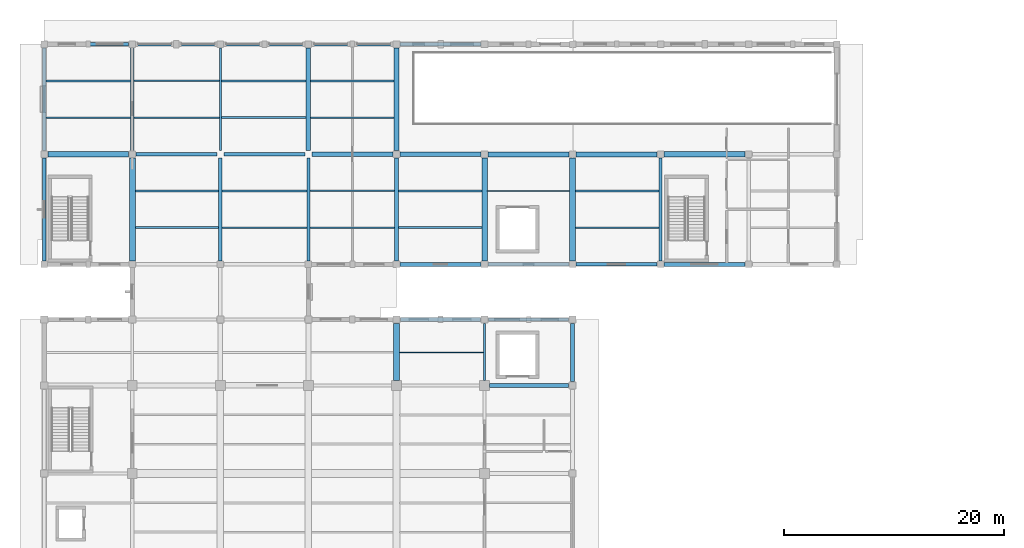
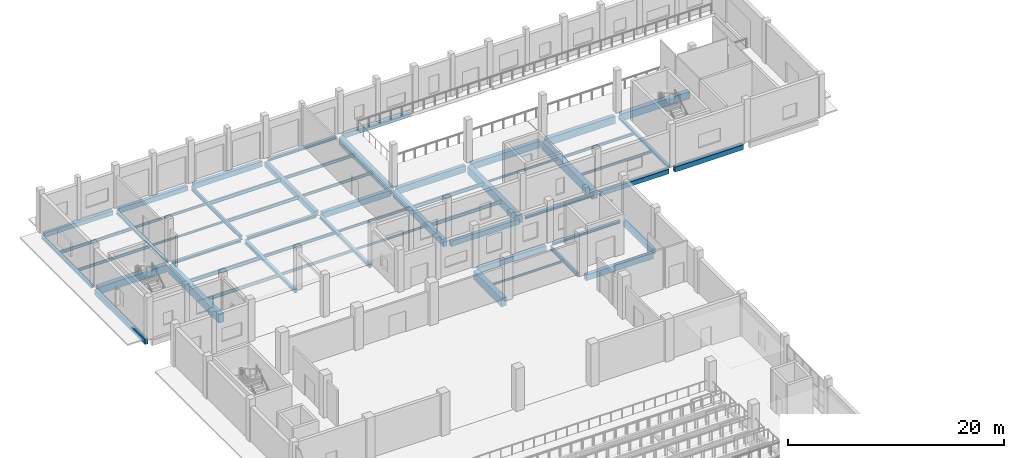
# One storey, part 51 of 156: 56 beams.
"""IFC4 building model written with IfcOpenShell, lengths in metres."""

import ifcopenshell
import ifcopenshell.guid

model = None  # the IFC model being written
_history = None  # IfcOwnerHistory: only IFC2X3 demands one
_inside = {}  # id of a spatial element -> (the spatial element, [elements in it])
_under = {}  # id of a project, library or spatial element -> (it, [spatial elements below it])
_declared = {}  # id of a project -> (the project, [libraries it declares])
_typed = {}  # id of a type object -> (the type object, [elements of that type])
_made_of = {}  # id of a material, layer set ... -> (it, [elements and type objects made of it])


def new_model(schema):
    """Start an empty IFC model of exactly this schema.

    Asked for "IFC4X3", IfcOpenShell would pick the latest addendum, in which some entities
    have other attributes; the version numbers below select the first issue.
    IFC2X3 requires an IfcOwnerHistory on every rooted entity: one is made here for all.
    """
    global model, _history
    if schema == "IFC4X3":
        model = ifcopenshell.file(schema_version=(4, 3, 0, 0))
    else:
        model = ifcopenshell.file(schema=schema)
    _inside.clear()
    _under.clear()
    _declared.clear()
    _typed.clear()
    _made_of.clear()
    _history = None
    if model.schema == "IFC2X3":
        org = make("IfcOrganization", Name="unknown")
        user = make(
            "IfcPersonAndOrganization",
            ThePerson=make("IfcPerson", FamilyName="unknown"),
            TheOrganization=org,
        )
        app = make(
            "IfcApplication",
            ApplicationDeveloper=org,
            Version="unknown",
            ApplicationFullName="unknown",
            ApplicationIdentifier="unknown",
        )
        _history = make(
            "IfcOwnerHistory",
            OwningUser=user,
            OwningApplication=app,
            ChangeAction="ADDED",
            CreationDate=0,
        )
    return model


def make(cls, **values):
    """One entity of the class cls with the attributes given. An attribute that is None is left unset."""
    return model.create_entity(
        cls, **{name: value for name, value in values.items() if value is not None}
    )


def rooted(cls, **values):
    """An entity with a GlobalId (a new one), such as an element, a storey or a relation."""
    return make(cls, GlobalId=ifcopenshell.guid.new(), OwnerHistory=_history, **values)


def si_unit(unit_type, name, prefix=None):
    """IfcSIUnit, for example si_unit("LENGTHUNIT", "METRE", prefix="MILLI")."""
    return make("IfcSIUnit", UnitType=unit_type, Prefix=prefix, Name=name)


def assignment(units):
    """IfcUnitAssignment: the units of a project."""
    return None if units is None else make("IfcUnitAssignment", Units=units)


def point(xyz):
    """IfcCartesianPoint."""
    return None if xyz is None else make("IfcCartesianPoint", Coordinates=xyz)


def direction(xyz):
    """IfcDirection."""
    return None if xyz is None else make("IfcDirection", DirectionRatios=xyz)


def frame(location, z_axis=None, x_axis=None):
    """IfcAxis2Placement3D, a coordinate frame: its origin and axes. An axis left out is left unset."""
    return make(
        "IfcAxis2Placement3D",
        Location=point(location),
        Axis=direction(z_axis),
        RefDirection=direction(x_axis),
    )


def frame_2d(location, x_axis=None):
    """IfcAxis2Placement2D, a coordinate frame in the plane: its origin and x axis."""
    return make(
        "IfcAxis2Placement2D", Location=point(location), RefDirection=direction(x_axis)
    )


def origin():
    """The frame at (0, 0, 0) with its axes left unset."""
    return frame((0.0, 0.0, 0.0))


def origin_2d():
    """The frame at (0, 0) in the plane with its x axis left unset."""
    return frame_2d((0.0, 0.0))


def place(relative_to, where):
    """IfcLocalPlacement: puts the frame where relative to a parent placement (None: the world)."""
    return make(
        "IfcLocalPlacement", PlacementRelTo=relative_to, RelativePlacement=where
    )


def context(
    kind, dimensions, precision=None, world=None, true_north=None, identifier=None
):
    """IfcGeometricRepresentationContext, for example the 3D "Model" context."""
    return make(
        "IfcGeometricRepresentationContext",
        ContextIdentifier=identifier,
        ContextType=kind,
        CoordinateSpaceDimension=dimensions,
        Precision=precision,
        WorldCoordinateSystem=world,
        TrueNorth=true_north,
    )


def subcontext(parent, identifier, kind, view, scale=None):
    """IfcGeometricRepresentationSubContext, for example "Body" below "Model"."""
    return make(
        "IfcGeometricRepresentationSubContext",
        ContextIdentifier=identifier,
        ContextType=kind,
        ParentContext=parent,
        TargetScale=scale,
        TargetView=view,
    )


def project(units=None, contexts=None):
    """IfcProject with its units and contexts."""
    return rooted(
        "IfcProject",
        Name="project",
        RepresentationContexts=contexts,
        UnitsInContext=assignment(units),
    )


def spatial(cls, under=None, at=None, **own):
    """A site, building, storey or space (cls), placed at a placement, below another one or the project."""
    s = rooted(cls, ObjectPlacement=at, **own)
    if under is not None:
        _under.setdefault(under.id(), (under, []))[1].append(s)
    return s


def profile(cls, at=None, kind="AREA", **sizes):
    """A parametric profile (cls). Its sizes go by their IFC names, for example OverallWidth=200.0."""
    return make(cls, ProfileType=kind, Position=at, **sizes)


def rectangle(**sizes):
    """IfcRectangleProfileDef."""
    return profile("IfcRectangleProfileDef", **sizes)


def i_section(**sizes):
    """IfcIShapeProfileDef."""
    return profile("IfcIShapeProfileDef", **sizes)


def extrude(swept, where, along, depth):
    """IfcExtrudedAreaSolid: the profile swept, set in the frame where, extruded along a direction by depth."""
    return make(
        "IfcExtrudedAreaSolid",
        SweptArea=swept,
        Position=where,
        ExtrudedDirection=direction(along),
        Depth=depth,
    )


def shape(context_of_items, identifier, shape_type, items):
    """IfcShapeRepresentation: the items that make up one representation, for example the "Body"."""
    return make(
        "IfcShapeRepresentation",
        ContextOfItems=context_of_items,
        RepresentationIdentifier=identifier,
        RepresentationType=shape_type,
        Items=items,
    )


def material(Name=None, Category=None):
    """IfcMaterial."""
    return make("IfcMaterial", Name=Name, Category=Category)


def material_profile(
    of_material, cross_section, Name=None, Category=None, Priority=None
):
    """IfcMaterialProfile: a cross section and its material."""
    return make(
        "IfcMaterialProfile",
        Name=Name,
        Material=of_material,
        Profile=cross_section,
        Priority=Priority,
        Category=Category,
    )


def profile_set(profiles, Name=None, composite=None):
    """IfcMaterialProfileSet."""
    return make(
        "IfcMaterialProfileSet",
        Name=Name,
        MaterialProfiles=profiles,
        CompositeProfile=composite,
    )


def made_of(thing, what):
    """Note that an element or type object is made of a material, layer set ...; save() writes the relation."""
    if what is not None:
        _made_of.setdefault(what.id(), (what, []))[1].append(thing)
    return thing


def type_object(cls, material=None, **own):
    """A type object (cls), such as IfcWallType, which elements share."""
    return made_of(rooted(cls, **own), material)


def element(
    cls,
    number,
    at=None,
    inside=None,
    cuts=None,
    type_object=None,
    material=None,
    context=None,
    identifier="Body",
    shape_type=None,
    held_by="IfcProductDefinitionShape",
    body=None,
    shapes=None,
    **own,
):
    """One element of the class cls, such as IfcWall. Its Tag is "e" and its number.

    at: its placement. inside: the storey or other place that contains it. cuts: it is an
    opening in that element (IfcRelVoidsElement). A single representation is given by context,
    identifier, shape_type and body (its items); several are given by shapes. held_by: the class
    of the entity that holds the representations. save() writes the other relations.
    """
    e = rooted(cls, Tag="e%d" % number, ObjectPlacement=at, **own)
    if body is not None:
        shapes = [shape(context, identifier, shape_type, body)]
    if shapes is not None:
        e.Representation = make(held_by, Representations=shapes)
    if inside is not None:
        _inside.setdefault(inside.id(), (inside, []))[1].append(e)
    if cuts is not None:
        rooted(
            "IfcRelVoidsElement", RelatingBuildingElement=cuts, RelatedOpeningElement=e
        )
    if type_object is not None:
        _typed.setdefault(type_object.id(), (type_object, []))[1].append(e)
    return made_of(e, material)


def aggregate(whole, parts):
    """IfcRelAggregates: a whole, such as a stair, and the parts it consists of."""
    return rooted("IfcRelAggregates", RelatingObject=whole, RelatedObjects=parts)


def save(model, path):
    """Write the relations noted so far, then the file.

    IfcRelAggregates (storeys below a building ...), IfcRelContainedInSpatialStructure (elements
    in a storey), IfcRelDefinesByType, IfcRelAssociatesMaterial and IfcRelDeclares: one each for
    every whole, place, type object, material and project.
    """
    for whole, parts in _under.values():
        aggregate(whole, parts)
    for where, things in _inside.values():
        rooted(
            "IfcRelContainedInSpatialStructure",
            RelatedElements=things,
            RelatingStructure=where,
        )
    for kind, things in _typed.values():
        rooted("IfcRelDefinesByType", RelatedObjects=things, RelatingType=kind)
    for what, things in _made_of.values():
        rooted("IfcRelAssociatesMaterial", RelatedObjects=things, RelatingMaterial=what)
    for by, libraries in _declared.values():
        rooted("IfcRelDeclares", RelatingContext=by, RelatedDefinitions=libraries)
    model.write(path)


model = new_model("IFC4")

# Units and contexts
model_context = context("Model", 3, precision=1e-05, world=origin(), true_north=direction((0.0, 1.0)))
body_context = subcontext(model_context, "Body", "Model", "MODEL_VIEW")
ifc_project = project(units=[si_unit("LENGTHUNIT", "METRE"), si_unit("AREAUNIT", "SQUARE_METRE"), si_unit("VOLUMEUNIT", "CUBIC_METRE"), si_unit("PLANEANGLEUNIT", "RADIAN"), si_unit("MASSUNIT", "GRAM", prefix="KILO")], contexts=[model_context])

# Site, building, storey
site_placement = place(None, origin())
site = spatial("IfcSite", under=ifc_project, at=site_placement, CompositionType="ELEMENT")
building_placement = place(site_placement, origin())
building = spatial("IfcBuilding", under=site, at=building_placement, Name="Luwemba Playhouse", CompositionType="ELEMENT")
storey_placement = place(building_placement, origin())
storey = spatial("IfcBuildingStorey", under=building, at=storey_placement, Name="L00", CompositionType="ELEMENT", Elevation=0.0)

# Beams
ifc_material_1 = material(Name="Concrete C40/50", Category="concrete")
ifc_material_profile_1 = material_profile(ifc_material_1, rectangle(XDim=0.39990234375, YDim=0.60009765625, at=origin_2d()))
ifc_profile_set_1 = profile_set([ifc_material_profile_1], Name="Concrete C40/50")
beam_type_1 = type_object("IfcBeamType", Name="BM-RB01", PredefinedType="BEAM", material=ifc_profile_set_1)
beam_1_placement = place(storey_placement, frame((28.0, 105.324951171875, -0.639892578125), z_axis=(0.0, 1.0, 0.0), x_axis=(-1.0, 0.0, 0.0)))
element("IfcBeam", 1, at=beam_1_placement, inside=storey, type_object=beam_type_1, Name="L00 transverse girder 0288", PredefinedType="BEAM", context=body_context, shape_type="SweptSolid", body=[
    extrude(rectangle(XDim=0.39990234375, YDim=0.60009765625, at=origin_2d()), origin(), (0.0, 0.0, 1.0), 9.35009765625),
])
ifc_material_profile_2 = material_profile(ifc_material_1, rectangle(XDim=0.39990234375, YDim=0.64990234375, at=origin_2d()))
ifc_profile_set_2 = profile_set([ifc_material_profile_2], Name="Concrete C40/50")
beam_type_2 = type_object("IfcBeamType", Name="BM-RB02", PredefinedType="BEAM", material=ifc_profile_set_2)
beam_2_placement = place(storey_placement, frame((44.449951171875, 84.0, -0.625), z_axis=(1.0, 0.0, 0.0), x_axis=(0.0, 1.0, 0.0)))
element("IfcBeam", 2, at=beam_2_placement, inside=storey, type_object=beam_type_2, Name="L00 grid girder 0049", PredefinedType="BEAM", context=body_context, shape_type="SweptSolid", body=[
    extrude(rectangle(XDim=0.39990234375, YDim=0.64990234375, at=origin_2d()), origin(), (0.0, 0.0, 1.0), 7.199951171875),
])
beam_3_placement = place(storey_placement, frame((28.324951171875, 105.0, -0.6650390625), z_axis=(1.0, 0.0, 0.0), x_axis=(0.0, 1.0, 0.0)))
element("IfcBeam", 3, at=beam_3_placement, inside=storey, type_object=beam_type_2, Name="L00 grid girder 0266", PredefinedType="BEAM", context=body_context, shape_type="SweptSolid", body=[
    extrude(rectangle(XDim=0.39990234375, YDim=0.64990234375, at=origin_2d()), origin(), (0.0, 0.0, 1.0), 7.35009765625),
])
ifc_material_profile_3 = material_profile(ifc_material_1, rectangle(XDim=0.39990234375, YDim=0.75, at=origin_2d()))
ifc_profile_set_3 = profile_set([ifc_material_profile_3], Name="Concrete C40/50")
beam_type_3 = type_object("IfcBeamType", Name="BM-RB03", PredefinedType="BEAM", material=ifc_profile_set_3)
beam_4_placement = place(storey_placement, frame((36.324951171875, 105.0, -0.715087890625), z_axis=(1.0, 0.0, 0.0), x_axis=(0.0, 1.0, 0.0)))
element("IfcBeam", 4, at=beam_4_placement, inside=storey, type_object=beam_type_3, Name="L00 grid girder 0267", PredefinedType="BEAM", context=body_context, shape_type="SweptSolid", body=[
    extrude(rectangle(XDim=0.39990234375, YDim=0.75, at=origin_2d()), origin(), (0.0, 0.0, 1.0), 7.35009765625),
])
beam_5_placement = place(storey_placement, frame((36.0, 95.324951171875, -0.715087890625), z_axis=(0.0, 1.0, 0.0), x_axis=(-1.0, 0.0, 0.0)))
element("IfcBeam", 5, at=beam_5_placement, inside=storey, type_object=beam_type_3, Name="L00 transverse girder 0289", PredefinedType="BEAM", context=body_context, shape_type="SweptSolid", body=[
    extrude(rectangle(XDim=0.39990234375, YDim=0.75, at=origin_2d()), origin(), (0.0, 0.0, 1.0), 9.35009765625),
])
ifc_material_profile_4 = material_profile(ifc_material_1, rectangle(XDim=0.449951171875, YDim=0.75, at=origin_2d()))
ifc_profile_set_4 = profile_set([ifc_material_profile_4], Name="Concrete C40/50")
beam_type_4 = type_object("IfcBeamType", Name="BM-RB04", PredefinedType="BEAM", material=ifc_profile_set_4)
beam_6_placement = place(storey_placement, frame((44.324951171875, 105.0, -0.715087890625), z_axis=(1.0, 0.0, 0.0), x_axis=(0.0, 1.0, 0.0)))
element("IfcBeam", 6, at=beam_6_placement, inside=storey, type_object=beam_type_4, Name="L00 grid girder 0268", PredefinedType="BEAM", context=body_context, shape_type="SweptSolid", body=[
    extrude(rectangle(XDim=0.449951171875, YDim=0.75, at=origin_2d()), origin(), (0.0, 0.0, 1.0), 7.35009765625),
])
ifc_material_profile_5 = material_profile(ifc_material_1, rectangle(XDim=0.449951171875, YDim=0.85009765625, at=origin_2d()))
ifc_profile_set_5 = profile_set([ifc_material_profile_5], Name="Concrete C40/50")
beam_type_5 = type_object("IfcBeamType", Name="BM-RB05", PredefinedType="BEAM", material=ifc_profile_set_5)
beam_7_placement = place(storey_placement, frame((52.324951171875, 105.0, -0.764892578125), z_axis=(1.0, 0.0, 0.0), x_axis=(0.0, 1.0, 0.0)))
element("IfcBeam", 7, at=beam_7_placement, inside=storey, type_object=beam_type_5, Name="L00 grid girder 0269", PredefinedType="BEAM", context=body_context, shape_type="SweptSolid", body=[
    extrude(rectangle(XDim=0.449951171875, YDim=0.85009765625, at=origin_2d()), origin(), (0.0, 0.0, 1.0), 7.35009765625),
])
beam_8_placement = place(storey_placement, frame((36.0, 105.324951171875, -0.764892578125), z_axis=(0.0, 1.0, 0.0), x_axis=(-1.0, 0.0, 0.0)))
element("IfcBeam", 8, at=beam_8_placement, inside=storey, type_object=beam_type_5, Name="L00 transverse girder 0290", PredefinedType="BEAM", context=body_context, shape_type="SweptSolid", body=[
    extrude(rectangle(XDim=0.449951171875, YDim=0.85009765625, at=origin_2d()), origin(), (0.0, 0.0, 1.0), 9.35009765625),
])
ifc_material_profile_6 = material_profile(ifc_material_1, rectangle(XDim=0.5, YDim=0.800048828125, at=origin_2d()))
ifc_profile_set_6 = profile_set([ifc_material_profile_6], Name="Concrete C40/50")
beam_type_6 = type_object("IfcBeamType", Name="BM-RB06", PredefinedType="BEAM", material=ifc_profile_set_6)
for number, where, z_axis, x_axis, name in (
    (9, (4.324951171875, 105.0, -0.739990234375), (1.0, 0.0, 0.0), (0.0, 1.0, 0.0), "L00 grid girder 0263"),
    (10, (60.324951171875, 105.0, -0.739990234375), (1.0, 0.0, 0.0), (0.0, 1.0, 0.0), "L00 grid girder 0270"),
):
    element("IfcBeam", number, at=place(storey_placement, frame(where, z_axis=z_axis, x_axis=x_axis)), inside=storey, type_object=beam_type_6, Name=name, PredefinedType="BEAM", context=body_context, shape_type="SweptSolid", body=[
        extrude(rectangle(XDim=0.5, YDim=0.800048828125, at=origin_2d()), origin(), (0.0, 0.0, 1.0), 7.35009765625),
    ])
ifc_material_profile_7 = material_profile(ifc_material_1, rectangle(XDim=0.5, YDim=0.89990234375, at=origin_2d()))
ifc_profile_set_7 = profile_set([ifc_material_profile_7], Name="Concrete C40/50")
beam_type_7 = type_object("IfcBeamType", Name="BM-RB07", PredefinedType="BEAM", material=ifc_profile_set_7)
beam_9_placement = place(storey_placement, frame((44.0, 95.324951171875, -0.7900390625), z_axis=(0.0, 1.0, 0.0), x_axis=(-1.0, 0.0, 0.0)))
element("IfcBeam", 11, at=beam_9_placement, inside=storey, type_object=beam_type_7, Name="L00 transverse girder 0291", PredefinedType="BEAM", context=body_context, shape_type="SweptSolid", body=[
    extrude(rectangle(XDim=0.5, YDim=0.89990234375, at=origin_2d()), origin(), (0.0, 0.0, 1.0), 9.35009765625),
])
ifc_material_profile_8 = material_profile(ifc_material_1, rectangle(XDim=0.550048828125, YDim=0.949951171875, at=origin_2d()))
ifc_profile_set_8 = profile_set([ifc_material_profile_8], Name="Concrete C40/50")
beam_type_8 = type_object("IfcBeamType", Name="BM-RB08", PredefinedType="BEAM", material=ifc_profile_set_8)
beam_10_placement = place(storey_placement, frame((36.0, 84.449951171875, -0.77490234375), z_axis=(0.0, 1.0, 0.0), x_axis=(-1.0, 0.0, 0.0)))
element("IfcBeam", 12, at=beam_10_placement, inside=storey, type_object=beam_type_8, Name="L00 transverse girder 0067", PredefinedType="BEAM", context=body_context, shape_type="SweptSolid", body=[
    extrude(rectangle(XDim=0.550048828125, YDim=0.949951171875, at=origin_2d()), origin(), (0.0, 0.0, 1.0), 5.199951171875),
])
for number, where, z_axis, x_axis, name in (
    (13, (12.0, 95.324951171875, -0.81494140625), (0.0, 1.0, 0.0), (-1.0, 0.0, 0.0), "L00 transverse girder 0283"),
    (14, (52.0, 95.324951171875, -0.81494140625), (0.0, 1.0, 0.0), (-1.0, 0.0, 0.0), "L00 transverse girder 0292"),
):
    element("IfcBeam", number, at=place(storey_placement, frame(where, z_axis=z_axis, x_axis=x_axis)), inside=storey, type_object=beam_type_8, Name=name, PredefinedType="BEAM", context=body_context, shape_type="SweptSolid", body=[
        extrude(rectangle(XDim=0.550048828125, YDim=0.949951171875, at=origin_2d()), origin(), (0.0, 0.0, 1.0), 9.35009765625),
    ])
ifc_material_2 = material(Name="Steel S355", Category="steel")
ifc_material_profile_9 = material_profile(ifc_material_2, i_section(OverallWidth=0.280029296875, OverallDepth=0.27001953125, WebThickness=0.008056640625, FlangeThickness=0.012939453125, FilletRadius=0.02392578125, at=origin_2d()))
ifc_profile_set_9 = profile_set([ifc_material_profile_9], Name="Steel S355")
beam_type_9 = type_object("IfcBeamType", Name="BM-SB02", PredefinedType="BEAM", material=ifc_profile_set_9)
for number, where, z_axis, x_axis, name in (
    (15, (12.0, 105.324951171875, -0.47509765625), (0.0, 1.0, 0.0), (-1.0, 0.0, 0.0), "L00 transverse girder 0284"),
    (16, (60.0, 95.324951171875, -0.47509765625), (0.0, 1.0, 0.0), (-1.0, 0.0, 0.0), "L00 transverse girder 0293"),
):
    element("IfcBeam", number, at=place(storey_placement, frame(where, z_axis=z_axis, x_axis=x_axis)), inside=storey, type_object=beam_type_9, Name=name, PredefinedType="BEAM", context=body_context, shape_type="SweptSolid", body=[
        extrude(i_section(OverallWidth=0.280029296875, OverallDepth=0.27001953125, WebThickness=0.008056640625, FlangeThickness=0.012939453125, FilletRadius=0.02392578125, at=origin_2d()), origin(), (0.0, 0.0, 1.0), 9.35009765625),
    ])
ifc_material_profile_10 = material_profile(ifc_material_2, i_section(OverallWidth=0.300048828125, OverallDepth=0.2900390625, WebThickness=0.008544921875, FlangeThickness=0.013916015625, FilletRadius=0.027099609375, at=origin_2d()))
ifc_profile_set_10 = profile_set([ifc_material_profile_10], Name="Steel S355")
beam_type_10 = type_object("IfcBeamType", Name="BM-SB03", PredefinedType="BEAM", material=ifc_profile_set_10)
beam_11_placement = place(storey_placement, frame((12.324951171875, 105.0, -0.485107421875), z_axis=(1.0, 0.0, 0.0), x_axis=(0.0, 1.0, 0.0)))
element("IfcBeam", 17, at=beam_11_placement, inside=storey, type_object=beam_type_10, Name="L00 grid girder 0264", PredefinedType="BEAM", context=body_context, shape_type="SweptSolid", body=[
    extrude(i_section(OverallWidth=0.300048828125, OverallDepth=0.2900390625, WebThickness=0.008544921875, FlangeThickness=0.013916015625, FilletRadius=0.027099609375, at=origin_2d()), origin(), (0.0, 0.0, 1.0), 7.35009765625),
])
ifc_material_profile_11 = material_profile(ifc_material_2, i_section(OverallWidth=0.300048828125, OverallDepth=0.330078125, WebThickness=0.009521484375, FlangeThickness=0.0166015625, FilletRadius=0.027099609375, at=origin_2d()))
ifc_profile_set_11 = profile_set([ifc_material_profile_11], Name="Steel S355")
beam_type_11 = type_object("IfcBeamType", Name="BM-SB04", PredefinedType="BEAM", material=ifc_profile_set_11)
beam_12_placement = place(storey_placement, frame((20.324951171875, 105.0, -0.5048828125), z_axis=(1.0, 0.0, 0.0), x_axis=(0.0, 1.0, 0.0)))
element("IfcBeam", 18, at=beam_12_placement, inside=storey, type_object=beam_type_11, Name="L00 grid girder 0265", PredefinedType="BEAM", context=body_context, shape_type="SweptSolid", body=[
    extrude(i_section(OverallWidth=0.300048828125, OverallDepth=0.330078125, WebThickness=0.009521484375, FlangeThickness=0.0166015625, FilletRadius=0.027099609375, at=origin_2d()), origin(), (0.0, 0.0, 1.0), 7.35009765625),
])
ifc_material_profile_12 = material_profile(ifc_material_2, i_section(OverallWidth=0.300048828125, OverallDepth=0.389892578125, WebThickness=0.010986328125, FlangeThickness=0.01904296875, FilletRadius=0.027099609375, at=origin_2d()))
ifc_profile_set_12 = profile_set([ifc_material_profile_12], Name="Steel S355")
beam_type_12 = type_object("IfcBeamType", Name="BM-SB05", PredefinedType="BEAM", material=ifc_profile_set_12)
beam_13_placement = place(storey_placement, frame((20.0, 95.324951171875, -0.534912109375), z_axis=(0.0, 1.0, 0.0), x_axis=(-1.0, 0.0, 0.0)))
element("IfcBeam", 19, at=beam_13_placement, inside=storey, type_object=beam_type_12, Name="L00 transverse girder 0285", PredefinedType="BEAM", context=body_context, shape_type="SweptSolid", body=[
    extrude(i_section(OverallWidth=0.300048828125, OverallDepth=0.389892578125, WebThickness=0.010986328125, FlangeThickness=0.01904296875, FilletRadius=0.027099609375, at=origin_2d()), origin(), (0.0, 0.0, 1.0), 9.35009765625),
])
ifc_material_profile_13 = material_profile(ifc_material_2, i_section(OverallWidth=0.18994140625, OverallDepth=0.449951171875, WebThickness=0.009521484375, FlangeThickness=0.0146484375, FilletRadius=0.02099609375, at=origin_2d()))
ifc_profile_set_13 = profile_set([ifc_material_profile_13], Name="Steel S355")
beam_type_13 = type_object("IfcBeamType", Name="BM-SB06", PredefinedType="BEAM", material=ifc_profile_set_13)
beam_14_placement = place(storey_placement, frame((44.0, 84.449951171875, -0.52490234375), z_axis=(0.0, 1.0, 0.0), x_axis=(-1.0, 0.0, 0.0)))
element("IfcBeam", 20, at=beam_14_placement, inside=storey, type_object=beam_type_13, Name="L00 transverse girder 0070", PredefinedType="BEAM", context=body_context, shape_type="SweptSolid", body=[
    extrude(i_section(OverallWidth=0.18994140625, OverallDepth=0.449951171875, WebThickness=0.009521484375, FlangeThickness=0.0146484375, FilletRadius=0.02099609375, at=origin_2d()), origin(), (0.0, 0.0, 1.0), 5.199951171875),
])
beam_15_placement = place(storey_placement, frame((20.0, 105.324951171875, -0.56494140625), z_axis=(0.0, 1.0, 0.0), x_axis=(-1.0, 0.0, 0.0)))
element("IfcBeam", 21, at=beam_15_placement, inside=storey, type_object=beam_type_13, Name="L00 transverse girder 0286", PredefinedType="BEAM", context=body_context, shape_type="SweptSolid", body=[
    extrude(i_section(OverallWidth=0.18994140625, OverallDepth=0.449951171875, WebThickness=0.009521484375, FlangeThickness=0.0146484375, FilletRadius=0.02099609375, at=origin_2d()), origin(), (0.0, 0.0, 1.0), 9.35009765625),
])
ifc_material_profile_14 = material_profile(ifc_material_2, i_section(OverallWidth=0.300048828125, OverallDepth=0.360107421875, WebThickness=0.012451171875, FlangeThickness=0.0224609375, FilletRadius=0.027099609375, at=origin_2d()))
ifc_profile_set_14 = profile_set([ifc_material_profile_14], Name="Steel S355")
beam_type_14 = type_object("IfcBeamType", Name="BM-SB09", PredefinedType="BEAM", material=ifc_profile_set_14)
beam_16_placement = place(storey_placement, frame((28.0, 95.324951171875, -0.52001953125), z_axis=(0.0, 1.0, 0.0), x_axis=(-1.0, 0.0, 0.0)))
element("IfcBeam", 22, at=beam_16_placement, inside=storey, type_object=beam_type_14, Name="L00 transverse girder 0287", PredefinedType="BEAM", context=body_context, shape_type="SweptSolid", body=[
    extrude(i_section(OverallWidth=0.300048828125, OverallDepth=0.360107421875, WebThickness=0.012451171875, FlangeThickness=0.0224609375, FilletRadius=0.027099609375, at=origin_2d()), origin(), (0.0, 0.0, 1.0), 9.35009765625),
])
ifc_material_profile_15 = material_profile(ifc_material_2, i_section(OverallWidth=0.1201171875, OverallDepth=0.239990234375, WebThickness=0.006103515625, FlangeThickness=0.009765625, FilletRadius=0.014892578125, at=origin_2d()))
ifc_profile_set_15 = profile_set([ifc_material_profile_15], Name="Steel S355")
beam_type_15 = type_object("IfcBeamType", Name="BM-SJ03", PredefinedType="JOIST", material=ifc_profile_set_15)
beam_17_placement = place(storey_placement, frame((36.27099609375, 87.0, -0.419921875), z_axis=(1.0, 0.0, 0.0), x_axis=(0.0, 1.0, 0.0)))
element("IfcBeam", 23, at=beam_17_placement, inside=storey, type_object=beam_type_15, Name="L00 composite floor joist 0065", PredefinedType="JOIST", context=body_context, shape_type="SweptSolid", body=[
    extrude(i_section(OverallWidth=0.1201171875, OverallDepth=0.239990234375, WebThickness=0.006103515625, FlangeThickness=0.009765625, FilletRadius=0.014892578125, at=origin_2d()), origin(), (0.0, 0.0, 1.0), 7.637939453125),
])
beam_18_placement = place(storey_placement, frame((12.135986328125, 108.333251953125, -0.4599609375), z_axis=(1.0, 0.0, 0.0), x_axis=(0.0, 1.0, 0.0)))
element("IfcBeam", 24, at=beam_18_placement, inside=storey, type_object=beam_type_15, Name="L00 composite floor joist 0197", PredefinedType="JOIST", context=body_context, shape_type="SweptSolid", body=[
    extrude(i_section(OverallWidth=0.1201171875, OverallDepth=0.239990234375, WebThickness=0.006103515625, FlangeThickness=0.009765625, FilletRadius=0.014892578125, at=origin_2d()), origin(), (0.0, 0.0, 1.0), 7.77294921875),
])
beam_19_placement = place(storey_placement, frame((28.14599609375, 98.333251953125, -0.4599609375), z_axis=(1.0, 0.0, 0.0), x_axis=(0.0, 1.0, 0.0)))
element("IfcBeam", 25, at=beam_19_placement, inside=storey, type_object=beam_type_15, Name="L00 composite floor joist 0203", PredefinedType="JOIST", context=body_context, shape_type="SweptSolid", body=[
    extrude(i_section(OverallWidth=0.1201171875, OverallDepth=0.239990234375, WebThickness=0.006103515625, FlangeThickness=0.009765625, FilletRadius=0.014892578125, at=origin_2d()), origin(), (0.0, 0.0, 1.0), 7.657958984375),
])
beam_20_placement = place(storey_placement, frame((44.24609375, 101.666748046875, -0.4599609375), z_axis=(1.0, 0.0, 0.0), x_axis=(0.0, 1.0, 0.0)))
element("IfcBeam", 26, at=beam_20_placement, inside=storey, type_object=beam_type_15, Name="L00 composite floor joist 0209", PredefinedType="JOIST", context=body_context, shape_type="SweptSolid", body=[
    extrude(i_section(OverallWidth=0.1201171875, OverallDepth=0.239990234375, WebThickness=0.006103515625, FlangeThickness=0.009765625, FilletRadius=0.014892578125, at=origin_2d()), origin(), (0.0, 0.0, 1.0), 7.48291015625),
])
ifc_material_profile_16 = material_profile(ifc_material_2, i_section(OverallWidth=0.135009765625, OverallDepth=0.27001953125, WebThickness=0.006591796875, FlangeThickness=0.01025390625, FilletRadius=0.014892578125, at=origin_2d()))
ifc_profile_set_16 = profile_set([ifc_material_profile_16], Name="Steel S355")
beam_type_16 = type_object("IfcBeamType", Name="BM-SJ04", PredefinedType="JOIST", material=ifc_profile_set_16)
beam_21_placement = place(storey_placement, frame((12.135986328125, 111.666748046875, -0.47509765625), z_axis=(1.0, 0.0, 0.0), x_axis=(0.0, 1.0, 0.0)))
element("IfcBeam", 27, at=beam_21_placement, inside=storey, type_object=beam_type_16, Name="L00 composite floor joist 0198", PredefinedType="JOIST", context=body_context, shape_type="SweptSolid", body=[
    extrude(i_section(OverallWidth=0.135009765625, OverallDepth=0.27001953125, WebThickness=0.006591796875, FlangeThickness=0.01025390625, FilletRadius=0.014892578125, at=origin_2d()), origin(), (0.0, 0.0, 1.0), 7.77294921875),
])
beam_22_placement = place(storey_placement, frame((28.14599609375, 101.666748046875, -0.47509765625), z_axis=(1.0, 0.0, 0.0), x_axis=(0.0, 1.0, 0.0)))
element("IfcBeam", 28, at=beam_22_placement, inside=storey, type_object=beam_type_16, Name="L00 composite floor joist 0204", PredefinedType="JOIST", context=body_context, shape_type="SweptSolid", body=[
    extrude(i_section(OverallWidth=0.135009765625, OverallDepth=0.27001953125, WebThickness=0.006591796875, FlangeThickness=0.01025390625, FilletRadius=0.014892578125, at=origin_2d()), origin(), (0.0, 0.0, 1.0), 7.657958984375),
])
beam_23_placement = place(storey_placement, frame((52.27099609375, 98.333251953125, -0.47509765625), z_axis=(1.0, 0.0, 0.0), x_axis=(0.0, 1.0, 0.0)))
element("IfcBeam", 29, at=beam_23_placement, inside=storey, type_object=beam_type_16, Name="L00 composite floor joist 0210", PredefinedType="JOIST", context=body_context, shape_type="SweptSolid", body=[
    extrude(i_section(OverallWidth=0.135009765625, OverallDepth=0.27001953125, WebThickness=0.006591796875, FlangeThickness=0.01025390625, FilletRadius=0.014892578125, at=origin_2d()), origin(), (0.0, 0.0, 1.0), 7.593017578125),
])
ifc_material_profile_17 = material_profile(ifc_material_2, i_section(OverallWidth=0.14990234375, OverallDepth=0.300048828125, WebThickness=0.007080078125, FlangeThickness=0.0107421875, FilletRadius=0.014892578125, at=origin_2d()))
ifc_profile_set_17 = profile_set([ifc_material_profile_17], Name="Steel S355")
beam_type_17 = type_object("IfcBeamType", Name="BM-SJ05", PredefinedType="JOIST", material=ifc_profile_set_17)
beam_24_placement = place(storey_placement, frame((4.14599609375, 108.333251953125, -0.489990234375), z_axis=(1.0, 0.0, 0.0), x_axis=(0.0, 1.0, 0.0)))
element("IfcBeam", 30, at=beam_24_placement, inside=storey, type_object=beam_type_17, Name="L00 composite floor joist 0193", PredefinedType="JOIST", context=body_context, shape_type="SweptSolid", body=[
    extrude(i_section(OverallWidth=0.14990234375, OverallDepth=0.300048828125, WebThickness=0.007080078125, FlangeThickness=0.0107421875, FilletRadius=0.014892578125, at=origin_2d()), origin(), (0.0, 0.0, 1.0), 7.718017578125),
])
beam_25_placement = place(storey_placement, frame((20.14599609375, 98.333251953125, -0.489990234375), z_axis=(1.0, 0.0, 0.0), x_axis=(0.0, 1.0, 0.0)))
element("IfcBeam", 31, at=beam_25_placement, inside=storey, type_object=beam_type_17, Name="L00 composite floor joist 0199", PredefinedType="JOIST", context=body_context, shape_type="SweptSolid", body=[
    extrude(i_section(OverallWidth=0.14990234375, OverallDepth=0.300048828125, WebThickness=0.007080078125, FlangeThickness=0.0107421875, FilletRadius=0.014892578125, at=origin_2d()), origin(), (0.0, 0.0, 1.0), 7.7080078125),
])
beam_26_placement = place(storey_placement, frame((28.196044921875, 108.333251953125, -0.489990234375), z_axis=(1.0, 0.0, 0.0), x_axis=(0.0, 1.0, 0.0)))
element("IfcBeam", 32, at=beam_26_placement, inside=storey, type_object=beam_type_17, Name="L00 composite floor joist 0205", PredefinedType="JOIST", context=body_context, shape_type="SweptSolid", body=[
    extrude(i_section(OverallWidth=0.14990234375, OverallDepth=0.300048828125, WebThickness=0.007080078125, FlangeThickness=0.0107421875, FilletRadius=0.014892578125, at=origin_2d()), origin(), (0.0, 0.0, 1.0), 7.5830078125),
])
beam_27_placement = place(storey_placement, frame((52.27099609375, 101.666748046875, -0.489990234375), z_axis=(1.0, 0.0, 0.0), x_axis=(0.0, 1.0, 0.0)))
element("IfcBeam", 33, at=beam_27_placement, inside=storey, type_object=beam_type_17, Name="L00 composite floor joist 0211", PredefinedType="JOIST", context=body_context, shape_type="SweptSolid", body=[
    extrude(i_section(OverallWidth=0.14990234375, OverallDepth=0.300048828125, WebThickness=0.007080078125, FlangeThickness=0.0107421875, FilletRadius=0.014892578125, at=origin_2d()), origin(), (0.0, 0.0, 1.0), 7.593017578125),
])
ifc_material_profile_18 = material_profile(ifc_material_2, i_section(OverallWidth=0.159912109375, OverallDepth=0.330078125, WebThickness=0.007568359375, FlangeThickness=0.011474609375, FilletRadius=0.01806640625, at=origin_2d()))
ifc_profile_set_18 = profile_set([ifc_material_profile_18], Name="Steel S355")
beam_type_18 = type_object("IfcBeamType", Name="BM-SJ06", PredefinedType="JOIST", material=ifc_profile_set_18)
beam_28_placement = place(storey_placement, frame((4.14599609375, 111.666748046875, -0.5048828125), z_axis=(1.0, 0.0, 0.0), x_axis=(0.0, 1.0, 0.0)))
element("IfcBeam", 34, at=beam_28_placement, inside=storey, type_object=beam_type_18, Name="L00 composite floor joist 0194", PredefinedType="JOIST", context=body_context, shape_type="SweptSolid", body=[
    extrude(i_section(OverallWidth=0.159912109375, OverallDepth=0.330078125, WebThickness=0.007568359375, FlangeThickness=0.011474609375, FilletRadius=0.01806640625, at=origin_2d()), origin(), (0.0, 0.0, 1.0), 7.718017578125),
])
beam_29_placement = place(storey_placement, frame((20.14599609375, 101.666748046875, -0.5048828125), z_axis=(1.0, 0.0, 0.0), x_axis=(0.0, 1.0, 0.0)))
element("IfcBeam", 35, at=beam_29_placement, inside=storey, type_object=beam_type_18, Name="L00 composite floor joist 0200", PredefinedType="JOIST", context=body_context, shape_type="SweptSolid", body=[
    extrude(i_section(OverallWidth=0.159912109375, OverallDepth=0.330078125, WebThickness=0.007568359375, FlangeThickness=0.011474609375, FilletRadius=0.01806640625, at=origin_2d()), origin(), (0.0, 0.0, 1.0), 7.7080078125),
])
beam_30_placement = place(storey_placement, frame((28.196044921875, 111.666748046875, -0.5048828125), z_axis=(1.0, 0.0, 0.0), x_axis=(0.0, 1.0, 0.0)))
element("IfcBeam", 36, at=beam_30_placement, inside=storey, type_object=beam_type_18, Name="L00 composite floor joist 0206", PredefinedType="JOIST", context=body_context, shape_type="SweptSolid", body=[
    extrude(i_section(OverallWidth=0.159912109375, OverallDepth=0.330078125, WebThickness=0.007568359375, FlangeThickness=0.011474609375, FilletRadius=0.01806640625, at=origin_2d()), origin(), (0.0, 0.0, 1.0), 7.5830078125),
])
ifc_material_profile_19 = material_profile(ifc_material_2, i_section(OverallWidth=0.169921875, OverallDepth=0.360107421875, WebThickness=0.008056640625, FlangeThickness=0.0126953125, FilletRadius=0.01806640625, at=origin_2d()))
ifc_profile_set_19 = profile_set([ifc_material_profile_19], Name="Steel S355")
beam_type_19 = type_object("IfcBeamType", Name="BM-SJ07", PredefinedType="JOIST", material=ifc_profile_set_19)
beam_31_placement = place(storey_placement, frame((12.27099609375, 98.333251953125, -0.52001953125), z_axis=(1.0, 0.0, 0.0), x_axis=(0.0, 1.0, 0.0)))
element("IfcBeam", 37, at=beam_31_placement, inside=storey, type_object=beam_type_19, Name="L00 composite floor joist 0195", PredefinedType="JOIST", context=body_context, shape_type="SweptSolid", body=[
    extrude(i_section(OverallWidth=0.169921875, OverallDepth=0.360107421875, WebThickness=0.008056640625, FlangeThickness=0.0126953125, FilletRadius=0.01806640625, at=origin_2d()), origin(), (0.0, 0.0, 1.0), 7.5830078125),
])
beam_32_placement = place(storey_placement, frame((20.091064453125, 108.333251953125, -0.52001953125), z_axis=(1.0, 0.0, 0.0), x_axis=(0.0, 1.0, 0.0)))
element("IfcBeam", 38, at=beam_32_placement, inside=storey, type_object=beam_type_19, Name="L00 composite floor joist 0201", PredefinedType="JOIST", context=body_context, shape_type="SweptSolid", body=[
    extrude(i_section(OverallWidth=0.169921875, OverallDepth=0.360107421875, WebThickness=0.008056640625, FlangeThickness=0.0126953125, FilletRadius=0.01806640625, at=origin_2d()), origin(), (0.0, 0.0, 1.0), 7.712890625),
])
beam_33_placement = place(storey_placement, frame((36.196044921875, 98.333251953125, -0.52001953125), z_axis=(1.0, 0.0, 0.0), x_axis=(0.0, 1.0, 0.0)))
element("IfcBeam", 39, at=beam_33_placement, inside=storey, type_object=beam_type_19, Name="L00 composite floor joist 0207", PredefinedType="JOIST", context=body_context, shape_type="SweptSolid", body=[
    extrude(i_section(OverallWidth=0.169921875, OverallDepth=0.360107421875, WebThickness=0.008056640625, FlangeThickness=0.0126953125, FilletRadius=0.01806640625, at=origin_2d()), origin(), (0.0, 0.0, 1.0), 7.557861328125),
])
ifc_material_profile_20 = material_profile(ifc_material_2, i_section(OverallWidth=0.179931640625, OverallDepth=0.39990234375, WebThickness=0.008544921875, FlangeThickness=0.013427734375, FilletRadius=0.02099609375, at=origin_2d()))
ifc_profile_set_20 = profile_set([ifc_material_profile_20], Name="Steel S355")
beam_type_20 = type_object("IfcBeamType", Name="BM-SJ08", PredefinedType="JOIST", material=ifc_profile_set_20)
beam_34_placement = place(storey_placement, frame((12.27099609375, 101.666748046875, -0.5400390625), z_axis=(1.0, 0.0, 0.0), x_axis=(0.0, 1.0, 0.0)))
element("IfcBeam", 40, at=beam_34_placement, inside=storey, type_object=beam_type_20, Name="L00 composite floor joist 0196", PredefinedType="JOIST", context=body_context, shape_type="SweptSolid", body=[
    extrude(i_section(OverallWidth=0.179931640625, OverallDepth=0.39990234375, WebThickness=0.008544921875, FlangeThickness=0.013427734375, FilletRadius=0.02099609375, at=origin_2d()), origin(), (0.0, 0.0, 1.0), 7.5830078125),
])
beam_35_placement = place(storey_placement, frame((20.091064453125, 111.666748046875, -0.5400390625), z_axis=(1.0, 0.0, 0.0), x_axis=(0.0, 1.0, 0.0)))
element("IfcBeam", 41, at=beam_35_placement, inside=storey, type_object=beam_type_20, Name="L00 composite floor joist 0202", PredefinedType="JOIST", context=body_context, shape_type="SweptSolid", body=[
    extrude(i_section(OverallWidth=0.179931640625, OverallDepth=0.39990234375, WebThickness=0.008544921875, FlangeThickness=0.013427734375, FilletRadius=0.02099609375, at=origin_2d()), origin(), (0.0, 0.0, 1.0), 7.712890625),
])
beam_36_placement = place(storey_placement, frame((36.196044921875, 101.666748046875, -0.5400390625), z_axis=(1.0, 0.0, 0.0), x_axis=(0.0, 1.0, 0.0)))
element("IfcBeam", 42, at=beam_36_placement, inside=storey, type_object=beam_type_20, Name="L00 composite floor joist 0208", PredefinedType="JOIST", context=body_context, shape_type="SweptSolid", body=[
    extrude(i_section(OverallWidth=0.179931640625, OverallDepth=0.39990234375, WebThickness=0.008544921875, FlangeThickness=0.013427734375, FilletRadius=0.02099609375, at=origin_2d()), origin(), (0.0, 0.0, 1.0), 7.557861328125),
])
ifc_material_profile_21 = material_profile(ifc_material_1, rectangle(XDim=0.300048828125, YDim=0.5, at=origin_2d()))
ifc_profile_set_21 = profile_set([ifc_material_profile_21], Name="Concrete C40/50")
beam_type_21 = type_object("IfcBeamType", Name="BM-SP1", PredefinedType="SPANDREL", material=ifc_profile_set_21)
for number, where, z_axis, x_axis, name in (
    (43, (52.324951171875, 95.0, -0.590087890625), (1.0, 0.0, 0.0), (0.0, 1.0, 0.0), "L00 grid girder 0260"),
    (44, (4.324951171875, 115.0, -0.590087890625), (1.0, 0.0, 0.0), (0.0, 1.0, 0.0), "L00 grid girder 0272"),
    (45, (36.324951171875, 115.0, -0.590087890625), (1.0, 0.0, 0.0), (0.0, 1.0, 0.0), "L00 grid girder 0276"),
):
    element("IfcBeam", number, at=place(storey_placement, frame(where, z_axis=z_axis, x_axis=x_axis)), inside=storey, type_object=beam_type_21, Name=name, PredefinedType="SPANDREL", context=body_context, shape_type="SweptSolid", body=[
        extrude(rectangle(XDim=0.300048828125, YDim=0.5, at=origin_2d()), origin(), (0.0, 0.0, 1.0), 7.35009765625),
    ])
ifc_material_profile_22 = material_profile(ifc_material_1, rectangle(XDim=0.35009765625, YDim=0.550048828125, at=origin_2d()))
ifc_profile_set_22 = profile_set([ifc_material_profile_22], Name="Concrete C40/50")
beam_type_22 = type_object("IfcBeamType", Name="BM-SP2", PredefinedType="SPANDREL", material=ifc_profile_set_22)
for number, where, z_axis, x_axis, name in (
    (46, (60.324951171875, 95.0, -0.614990234375), (1.0, 0.0, 0.0), (0.0, 1.0, 0.0), "L00 grid girder 0261"),
    (47, (12.324951171875, 115.0, -0.614990234375), (1.0, 0.0, 0.0), (0.0, 1.0, 0.0), "L00 grid girder 0273"),
):
    element("IfcBeam", number, at=place(storey_placement, frame(where, z_axis=z_axis, x_axis=x_axis)), inside=storey, type_object=beam_type_22, Name=name, PredefinedType="SPANDREL", context=body_context, shape_type="SweptSolid", body=[
        extrude(rectangle(XDim=0.35009765625, YDim=0.550048828125, at=origin_2d()), origin(), (0.0, 0.0, 1.0), 7.35009765625),
    ])
ifc_material_profile_23 = material_profile(ifc_material_1, rectangle(XDim=0.35009765625, YDim=0.60009765625, at=origin_2d()))
ifc_profile_set_23 = profile_set([ifc_material_profile_23], Name="Concrete C40/50")
beam_type_23 = type_object("IfcBeamType", Name="BM-SP3", PredefinedType="SPANDREL", material=ifc_profile_set_23)
beam_37_placement = place(storey_placement, frame((36.35009765625, 90.0, -0.60009765625), z_axis=(1.0, 0.0, 0.0), x_axis=(0.0, 1.0, 0.0)))
element("IfcBeam", 48, at=beam_37_placement, inside=storey, type_object=beam_type_23, Name="L00 grid girder 0054", PredefinedType="SPANDREL", context=body_context, shape_type="SweptSolid", body=[
    extrude(rectangle(XDim=0.35009765625, YDim=0.60009765625, at=origin_2d()), origin(), (0.0, 0.0, 1.0), 7.2998046875),
])
beam_38_placement = place(storey_placement, frame((52.0, 84.35009765625, -0.60009765625), z_axis=(0.0, 1.0, 0.0), x_axis=(-1.0, 0.0, 0.0)))
element("IfcBeam", 49, at=beam_38_placement, inside=storey, type_object=beam_type_23, Name="L00 transverse girder 0073", PredefinedType="SPANDREL", context=body_context, shape_type="SweptSolid", body=[
    extrude(rectangle(XDim=0.35009765625, YDim=0.60009765625, at=origin_2d()), origin(), (0.0, 0.0, 1.0), 5.2998046875),
])
for number, where, z_axis, x_axis, name in (
    (50, (36.324951171875, 95.0, -0.639892578125), (1.0, 0.0, 0.0), (0.0, 1.0, 0.0), "L00 grid girder 0258"),
    (51, (20.324951171875, 115.0, -0.639892578125), (1.0, 0.0, 0.0), (0.0, 1.0, 0.0), "L00 grid girder 0274"),
):
    element("IfcBeam", number, at=place(storey_placement, frame(where, z_axis=z_axis, x_axis=x_axis)), inside=storey, type_object=beam_type_23, Name=name, PredefinedType="SPANDREL", context=body_context, shape_type="SweptSolid", body=[
        extrude(rectangle(XDim=0.35009765625, YDim=0.60009765625, at=origin_2d()), origin(), (0.0, 0.0, 1.0), 7.35009765625),
    ])
beam_39_placement = place(storey_placement, frame((4.0, 95.324951171875, -0.639892578125), z_axis=(0.0, 1.0, 0.0), x_axis=(-1.0, 0.0, 0.0)))
element("IfcBeam", 52, at=beam_39_placement, inside=storey, type_object=beam_type_23, Name="L00 transverse girder 0281", PredefinedType="SPANDREL", context=body_context, shape_type="SweptSolid", body=[
    extrude(rectangle(XDim=0.35009765625, YDim=0.60009765625, at=origin_2d()), origin(), (0.0, 0.0, 1.0), 9.35009765625),
])
ifc_material_profile_24 = material_profile(ifc_material_2, i_section(OverallWidth=0.300048828125, OverallDepth=0.300048828125, WebThickness=0.010986328125, FlangeThickness=0.01904296875, FilletRadius=0.027099609375, at=origin_2d()))
ifc_profile_set_24 = profile_set([ifc_material_profile_24], Name="Steel S355")
beam_type_24 = type_object("IfcBeamType", Name="BM-SSP1", PredefinedType="SPANDREL", material=ifc_profile_set_24)
beam_40_placement = place(storey_placement, frame((44.35009765625, 90.0, -0.449951171875), z_axis=(1.0, 0.0, 0.0), x_axis=(0.0, 1.0, 0.0)))
element("IfcBeam", 53, at=beam_40_placement, inside=storey, type_object=beam_type_24, Name="L00 grid girder 0055", PredefinedType="SPANDREL", context=body_context, shape_type="SweptSolid", body=[
    extrude(i_section(OverallWidth=0.300048828125, OverallDepth=0.300048828125, WebThickness=0.010986328125, FlangeThickness=0.01904296875, FilletRadius=0.027099609375, at=origin_2d()), origin(), (0.0, 0.0, 1.0), 7.2998046875),
])
for number, where, z_axis, x_axis, name in (
    (54, (44.324951171875, 95.0, -0.489990234375), (1.0, 0.0, 0.0), (0.0, 1.0, 0.0), "L00 grid girder 0259"),
    (55, (28.324951171875, 115.0, -0.489990234375), (1.0, 0.0, 0.0), (0.0, 1.0, 0.0), "L00 grid girder 0275"),
):
    element("IfcBeam", number, at=place(storey_placement, frame(where, z_axis=z_axis, x_axis=x_axis)), inside=storey, type_object=beam_type_24, Name=name, PredefinedType="SPANDREL", context=body_context, shape_type="SweptSolid", body=[
        extrude(i_section(OverallWidth=0.300048828125, OverallDepth=0.300048828125, WebThickness=0.010986328125, FlangeThickness=0.01904296875, FilletRadius=0.027099609375, at=origin_2d()), origin(), (0.0, 0.0, 1.0), 7.35009765625),
    ])
beam_41_placement = place(storey_placement, frame((4.0, 105.324951171875, -0.489990234375), z_axis=(0.0, 1.0, 0.0), x_axis=(-1.0, 0.0, 0.0)))
element("IfcBeam", 56, at=beam_41_placement, inside=storey, type_object=beam_type_24, Name="L00 transverse girder 0282", PredefinedType="SPANDREL", context=body_context, shape_type="SweptSolid", body=[
    extrude(i_section(OverallWidth=0.300048828125, OverallDepth=0.300048828125, WebThickness=0.010986328125, FlangeThickness=0.01904296875, FilletRadius=0.027099609375, at=origin_2d()), origin(), (0.0, 0.0, 1.0), 9.35009765625),
])

save(model, "model.ifc")
